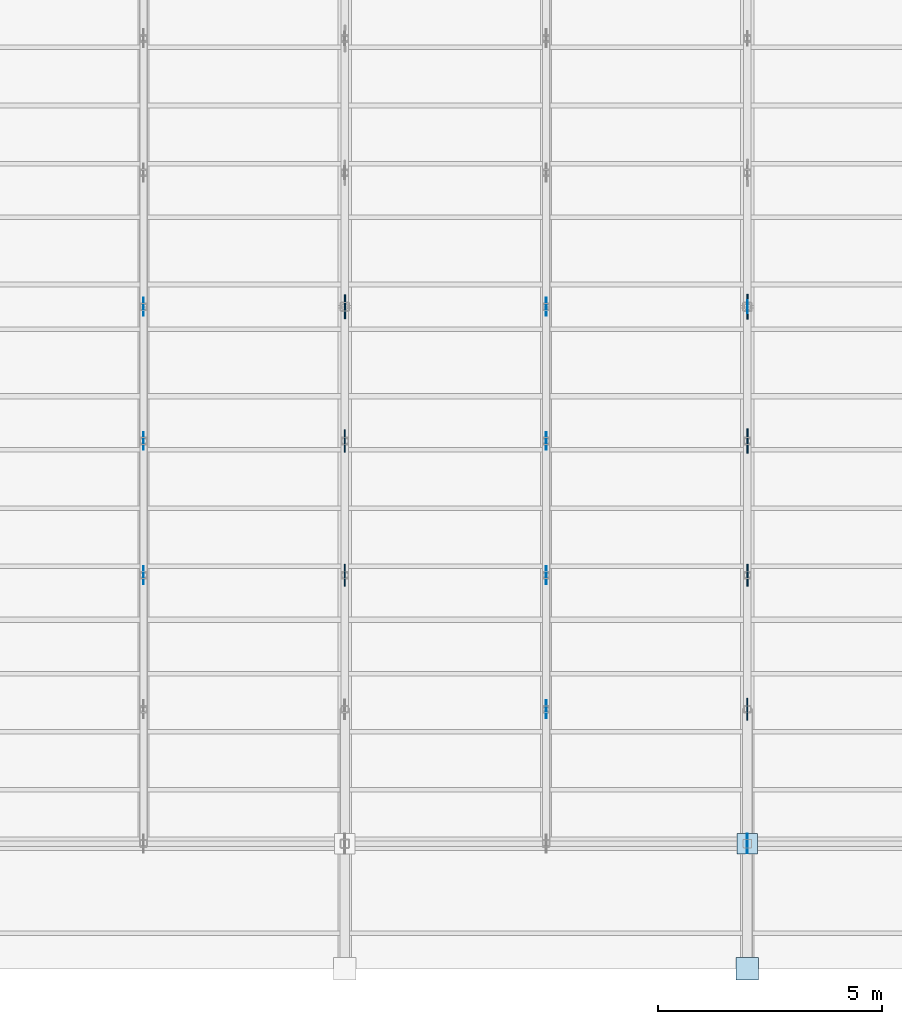
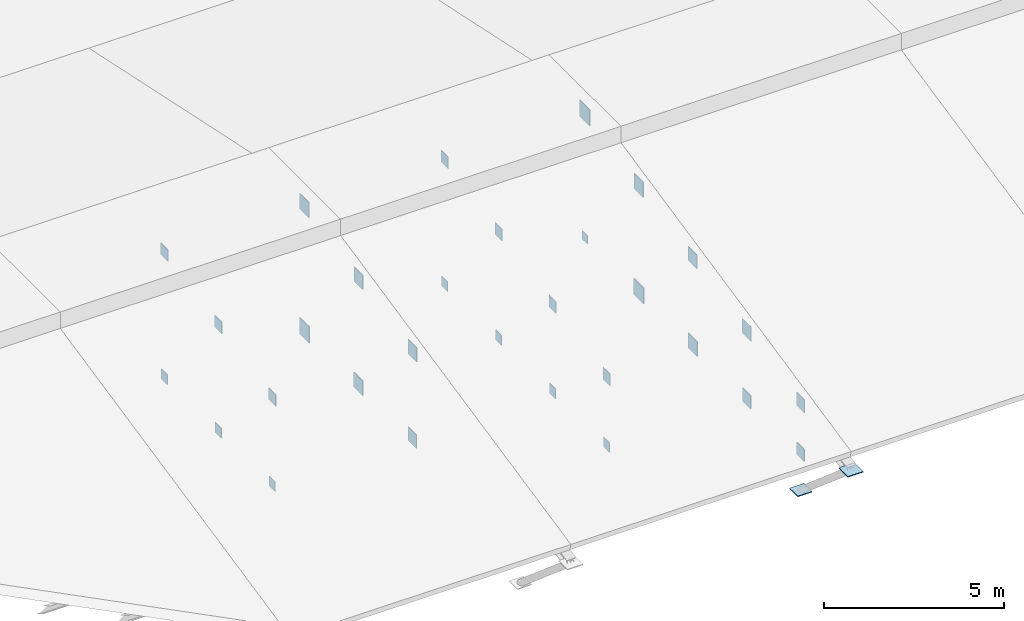
# One storey, part 37 of 43: 32 plates.
"""IFC4 building model written with IfcOpenShell, lengths in metres."""

import ifcopenshell
import ifcopenshell.guid

model = None  # the IFC model being written
_history = None  # IfcOwnerHistory: only IFC2X3 demands one
_inside = {}  # id of a spatial element -> (the spatial element, [elements in it])
_under = {}  # id of a project, library or spatial element -> (it, [spatial elements below it])
_declared = {}  # id of a project -> (the project, [libraries it declares])
_typed = {}  # id of a type object -> (the type object, [elements of that type])
_made_of = {}  # id of a material, layer set ... -> (it, [elements and type objects made of it])


def new_model(schema):
    """Start an empty IFC model of exactly this schema.

    Asked for "IFC4X3", IfcOpenShell would pick the latest addendum, in which some entities
    have other attributes; the version numbers below select the first issue.
    IFC2X3 requires an IfcOwnerHistory on every rooted entity: one is made here for all.
    """
    global model, _history
    if schema == "IFC4X3":
        model = ifcopenshell.file(schema_version=(4, 3, 0, 0))
    else:
        model = ifcopenshell.file(schema=schema)
    _inside.clear()
    _under.clear()
    _declared.clear()
    _typed.clear()
    _made_of.clear()
    _history = None
    if model.schema == "IFC2X3":
        org = make("IfcOrganization", Name="unknown")
        user = make(
            "IfcPersonAndOrganization",
            ThePerson=make("IfcPerson", FamilyName="unknown"),
            TheOrganization=org,
        )
        app = make(
            "IfcApplication",
            ApplicationDeveloper=org,
            Version="unknown",
            ApplicationFullName="unknown",
            ApplicationIdentifier="unknown",
        )
        _history = make(
            "IfcOwnerHistory",
            OwningUser=user,
            OwningApplication=app,
            ChangeAction="ADDED",
            CreationDate=0,
        )
    return model


def make(cls, **values):
    """One entity of the class cls with the attributes given. An attribute that is None is left unset."""
    return model.create_entity(
        cls, **{name: value for name, value in values.items() if value is not None}
    )


def rooted(cls, **values):
    """An entity with a GlobalId (a new one), such as an element, a storey or a relation."""
    return make(cls, GlobalId=ifcopenshell.guid.new(), OwnerHistory=_history, **values)


def si_unit(unit_type, name, prefix=None):
    """IfcSIUnit, for example si_unit("LENGTHUNIT", "METRE", prefix="MILLI")."""
    return make("IfcSIUnit", UnitType=unit_type, Prefix=prefix, Name=name)


def assignment(units):
    """IfcUnitAssignment: the units of a project."""
    return None if units is None else make("IfcUnitAssignment", Units=units)


def point(xyz):
    """IfcCartesianPoint."""
    return None if xyz is None else make("IfcCartesianPoint", Coordinates=xyz)


def direction(xyz):
    """IfcDirection."""
    return None if xyz is None else make("IfcDirection", DirectionRatios=xyz)


def frame(location, z_axis=None, x_axis=None):
    """IfcAxis2Placement3D, a coordinate frame: its origin and axes. An axis left out is left unset."""
    return make(
        "IfcAxis2Placement3D",
        Location=point(location),
        Axis=direction(z_axis),
        RefDirection=direction(x_axis),
    )


def frame_2d(location, x_axis=None):
    """IfcAxis2Placement2D, a coordinate frame in the plane: its origin and x axis."""
    return make(
        "IfcAxis2Placement2D", Location=point(location), RefDirection=direction(x_axis)
    )


def origin():
    """The frame at (0, 0, 0) with its axes left unset."""
    return frame((0.0, 0.0, 0.0))


def origin_2d():
    """The frame at (0, 0) in the plane with its x axis left unset."""
    return frame_2d((0.0, 0.0))


def place(relative_to, where):
    """IfcLocalPlacement: puts the frame where relative to a parent placement (None: the world)."""
    return make(
        "IfcLocalPlacement", PlacementRelTo=relative_to, RelativePlacement=where
    )


def context(
    kind, dimensions, precision=None, world=None, true_north=None, identifier=None
):
    """IfcGeometricRepresentationContext, for example the 3D "Model" context."""
    return make(
        "IfcGeometricRepresentationContext",
        ContextIdentifier=identifier,
        ContextType=kind,
        CoordinateSpaceDimension=dimensions,
        Precision=precision,
        WorldCoordinateSystem=world,
        TrueNorth=true_north,
    )


def subcontext(parent, identifier, kind, view, scale=None):
    """IfcGeometricRepresentationSubContext, for example "Body" below "Model"."""
    return make(
        "IfcGeometricRepresentationSubContext",
        ContextIdentifier=identifier,
        ContextType=kind,
        ParentContext=parent,
        TargetScale=scale,
        TargetView=view,
    )


def project(units=None, contexts=None):
    """IfcProject with its units and contexts."""
    return rooted(
        "IfcProject",
        Name="project",
        RepresentationContexts=contexts,
        UnitsInContext=assignment(units),
    )


def spatial(cls, under=None, at=None, **own):
    """A site, building, storey or space (cls), placed at a placement, below another one or the project."""
    s = rooted(cls, ObjectPlacement=at, **own)
    if under is not None:
        _under.setdefault(under.id(), (under, []))[1].append(s)
    return s


def profile(cls, at=None, kind="AREA", **sizes):
    """A parametric profile (cls). Its sizes go by their IFC names, for example OverallWidth=200.0."""
    return make(cls, ProfileType=kind, Position=at, **sizes)


def rectangle(**sizes):
    """IfcRectangleProfileDef."""
    return profile("IfcRectangleProfileDef", **sizes)


def extrude(swept, where, along, depth):
    """IfcExtrudedAreaSolid: the profile swept, set in the frame where, extruded along a direction by depth."""
    return make(
        "IfcExtrudedAreaSolid",
        SweptArea=swept,
        Position=where,
        ExtrudedDirection=direction(along),
        Depth=depth,
    )


def shape(context_of_items, identifier, shape_type, items):
    """IfcShapeRepresentation: the items that make up one representation, for example the "Body"."""
    return make(
        "IfcShapeRepresentation",
        ContextOfItems=context_of_items,
        RepresentationIdentifier=identifier,
        RepresentationType=shape_type,
        Items=items,
    )


def material(Name=None, Category=None):
    """IfcMaterial."""
    return make("IfcMaterial", Name=Name, Category=Category)


def layer(
    of_material, thickness, ventilated=None, Name=None, Category=None, Priority=None
):
    """IfcMaterialLayer: one layer of a wall or slab, of a material (None: an air gap)."""
    return make(
        "IfcMaterialLayer",
        Material=of_material,
        LayerThickness=thickness,
        IsVentilated=ventilated,
        Name=Name,
        Category=Category,
        Priority=Priority,
    )


def layer_set(layers, Name=None):
    """IfcMaterialLayerSet."""
    return make("IfcMaterialLayerSet", MaterialLayers=layers, LayerSetName=Name)


def made_of(thing, what):
    """Note that an element or type object is made of a material, layer set ...; save() writes the relation."""
    if what is not None:
        _made_of.setdefault(what.id(), (what, []))[1].append(thing)
    return thing


def type_object(cls, material=None, **own):
    """A type object (cls), such as IfcWallType, which elements share."""
    return made_of(rooted(cls, **own), material)


def element(
    cls,
    number,
    at=None,
    inside=None,
    cuts=None,
    type_object=None,
    material=None,
    context=None,
    identifier="Body",
    shape_type=None,
    held_by="IfcProductDefinitionShape",
    body=None,
    shapes=None,
    **own,
):
    """One element of the class cls, such as IfcWall. Its Tag is "e" and its number.

    at: its placement. inside: the storey or other place that contains it. cuts: it is an
    opening in that element (IfcRelVoidsElement). A single representation is given by context,
    identifier, shape_type and body (its items); several are given by shapes. held_by: the class
    of the entity that holds the representations. save() writes the other relations.
    """
    e = rooted(cls, Tag="e%d" % number, ObjectPlacement=at, **own)
    if body is not None:
        shapes = [shape(context, identifier, shape_type, body)]
    if shapes is not None:
        e.Representation = make(held_by, Representations=shapes)
    if inside is not None:
        _inside.setdefault(inside.id(), (inside, []))[1].append(e)
    if cuts is not None:
        rooted(
            "IfcRelVoidsElement", RelatingBuildingElement=cuts, RelatedOpeningElement=e
        )
    if type_object is not None:
        _typed.setdefault(type_object.id(), (type_object, []))[1].append(e)
    return made_of(e, material)


def aggregate(whole, parts):
    """IfcRelAggregates: a whole, such as a stair, and the parts it consists of."""
    return rooted("IfcRelAggregates", RelatingObject=whole, RelatedObjects=parts)


def save(model, path):
    """Write the relations noted so far, then the file.

    IfcRelAggregates (storeys below a building ...), IfcRelContainedInSpatialStructure (elements
    in a storey), IfcRelDefinesByType, IfcRelAssociatesMaterial and IfcRelDeclares: one each for
    every whole, place, type object, material and project.
    """
    for whole, parts in _under.values():
        aggregate(whole, parts)
    for where, things in _inside.values():
        rooted(
            "IfcRelContainedInSpatialStructure",
            RelatedElements=things,
            RelatingStructure=where,
        )
    for kind, things in _typed.values():
        rooted("IfcRelDefinesByType", RelatedObjects=things, RelatingType=kind)
    for what, things in _made_of.values():
        rooted("IfcRelAssociatesMaterial", RelatedObjects=things, RelatingMaterial=what)
    for by, libraries in _declared.values():
        rooted("IfcRelDeclares", RelatingContext=by, RelatedDefinitions=libraries)
    model.write(path)


model = new_model("IFC4")

# Units and contexts
model_context = context("Model", 3, precision=1e-05, world=origin(), true_north=direction((0.0, 1.0)))
body_context = subcontext(model_context, "Body", "Model", "MODEL_VIEW")
ifc_project = project(units=[si_unit("LENGTHUNIT", "METRE"), si_unit("AREAUNIT", "SQUARE_METRE"), si_unit("VOLUMEUNIT", "CUBIC_METRE"), si_unit("PLANEANGLEUNIT", "RADIAN"), si_unit("MASSUNIT", "GRAM", prefix="KILO")], contexts=[model_context])

# Site, building, storey
site_placement = place(None, origin())
site = spatial("IfcSite", under=ifc_project, at=site_placement, CompositionType="ELEMENT")
building_placement = place(site_placement, origin())
building = spatial("IfcBuilding", under=site, at=building_placement, Name="Serraforn Aerial Cableway Station", CompositionType="ELEMENT")
storey_placement = place(building_placement, frame((0.0, 0.0, 18.300048828125)))
storey = spatial("IfcBuildingStorey", under=building, at=storey_placement, Name="RF", CompositionType="ELEMENT", Elevation=18.300048828125)

# Plates
ifc_material = material(Name="Steel S355J2", Category="steel")
ifc_layer_1 = layer(ifc_material, 0.014892578125)
ifc_layer_set_1 = layer_set([ifc_layer_1], Name="Steel S355J2")
plate_type_1 = type_object("IfcPlateType", Name="PLT-CAP-15", PredefinedType="USERDEFINED", material=ifc_layer_set_1)
plate_1_placement = place(storey_placement, frame((63.60009765625, 30.0, -1.4951171875), z_axis=(0.0, 0.0, 1.0), x_axis=(1.0, 0.0, 0.0)))
element("IfcPlate", 1, at=plate_1_placement, inside=storey, type_object=plate_type_1, Name="Truss Bottom Node Cap TR-05-5", ObjectType="CAP PLATE", PredefinedType="USERDEFINED", context=body_context, shape_type="SweptSolid", body=[
    extrude(rectangle(XDim=0.014892578125, YDim=0.2900390625, at=origin_2d()), origin(), (0.0, 0.0, 1.0), 0.2900390625),
])
ifc_layer_2 = layer(ifc_material, 0.01806640625)
ifc_layer_set_2 = layer_set([ifc_layer_2], Name="Steel S355J2")
plate_type_2 = type_object("IfcPlateType", Name="PLT-CAP-18", PredefinedType="USERDEFINED", material=ifc_layer_set_2)
for number, where, z_axis, x_axis, name in (
    (2, (50.10009765625, 24.0, -1.52001953125), (0.0, 0.0, 1.0), (1.0, 0.0, 0.0), "Intermediate Truss Bottom Cap TRM-03-3"),
    (3, (50.10009765625, 27.0, -1.52001953125), (0.0, 0.0, 1.0), (1.0, 0.0, 0.0), "Intermediate Truss Bottom Cap TRM-03-4"),
    (4, (50.10009765625, 30.0, -1.52001953125), (0.0, 0.0, 1.0), (1.0, 0.0, 0.0), "Intermediate Truss Bottom Cap TRM-03-5"),
    (5, (59.10009765625, 21.0, -1.52001953125), (0.0, 0.0, 1.0), (1.0, 0.0, 0.0), "Intermediate Truss Bottom Cap TRM-04-2"),
    (6, (59.10009765625, 24.0, -1.52001953125), (0.0, 0.0, 1.0), (1.0, 0.0, 0.0), "Intermediate Truss Bottom Cap TRM-04-3"),
    (7, (59.10009765625, 27.0, -1.52001953125), (0.0, 0.0, 1.0), (1.0, 0.0, 0.0), "Intermediate Truss Bottom Cap TRM-04-4"),
    (8, (59.10009765625, 30.0, -1.52001953125), (0.0, 0.0, 1.0), (1.0, 0.0, 0.0), "Intermediate Truss Bottom Cap TRM-04-5"),
):
    element("IfcPlate", number, at=place(storey_placement, frame(where, z_axis=z_axis, x_axis=x_axis)), inside=storey, type_object=plate_type_2, Name=name, ObjectType="CAP PLATE", PredefinedType="USERDEFINED", context=body_context, shape_type="SweptSolid", body=[
        extrude(rectangle(XDim=0.01806640625, YDim=0.340087890625, at=origin_2d()), origin(), (0.0, 0.0, 1.0), 0.340087890625),
    ])
ifc_layer_3 = layer(ifc_material, 0.02197265625)
ifc_layer_set_3 = layer_set([ifc_layer_3], Name="Steel S355J2")
plate_type_3 = type_object("IfcPlateType", Name="PLT-CAP-22", PredefinedType="USERDEFINED", material=ifc_layer_set_3)
plate_2_placement = place(storey_placement, frame((63.60009765625, 18.0, -1.56005859375), z_axis=(0.0, 0.0, 1.0), x_axis=(1.0, 0.0, 0.0)))
element("IfcPlate", 9, at=plate_2_placement, inside=storey, type_object=plate_type_3, Name="Truss Bottom Node Cap TR-05-1", ObjectType="CAP PLATE", PredefinedType="USERDEFINED", context=body_context, shape_type="SweptSolid", body=[
    extrude(rectangle(XDim=0.02197265625, YDim=0.419921875, at=origin_2d()), origin(), (0.0, 0.0, 1.0), 0.419921875),
])
ifc_layer_4 = layer(ifc_material, 0.02392578125)
ifc_layer_set_4 = layer_set([ifc_layer_4], Name="Steel S355J2")
plate_type_4 = type_object("IfcPlateType", Name="PLT-CAP-24", PredefinedType="USERDEFINED", material=ifc_layer_set_4)
for number, where, z_axis, x_axis, name in (
    (10, (54.60009765625, 24.0, -1.580078125), (0.0, 0.0, 1.0), (1.0, 0.0, 0.0), "Truss Bottom Node Cap TR-04-3"),
    (11, (63.60009765625, 21.0, -1.580078125), (0.0, 0.0, 1.0), (1.0, 0.0, 0.0), "Truss Bottom Node Cap TR-05-2"),
):
    element("IfcPlate", number, at=place(storey_placement, frame(where, z_axis=z_axis, x_axis=x_axis)), inside=storey, type_object=plate_type_4, Name=name, ObjectType="CAP PLATE", PredefinedType="USERDEFINED", context=body_context, shape_type="SweptSolid", body=[
        extrude(rectangle(XDim=0.02392578125, YDim=0.4599609375, at=origin_2d()), origin(), (0.0, 0.0, 1.0), 0.4599609375),
    ])
plate_3_placement = place(storey_placement, frame((63.60009765625, 18.0, -2.662109375), z_axis=(0.0, 0.0, 1.0), x_axis=(1.0, 0.0, 0.0)))
element("IfcPlate", 12, at=plate_3_placement, inside=storey, type_object=plate_type_4, Name="Truss Eave Column Gusset TR-05-ES", ObjectType="CAP PLATE", PredefinedType="USERDEFINED", context=body_context, shape_type="SweptSolid", body=[
    extrude(rectangle(XDim=0.4599609375, YDim=0.4599609375, at=origin_2d()), origin(), (0.0, 0.0, 1.0), 0.02392578125),
])
ifc_layer_5 = layer(ifc_material, 0.028076171875)
ifc_layer_set_5 = layer_set([ifc_layer_5], Name="Steel S355J2")
plate_type_5 = type_object("IfcPlateType", Name="PLT-CAP-28", PredefinedType="USERDEFINED", material=ifc_layer_set_5)
for number, where, z_axis, x_axis, name in (
    (13, (54.60009765625, 27.0, -1.60009765625), (0.0, 0.0, 1.0), (1.0, 0.0, 0.0), "Truss Bottom Node Cap TR-04-4"),
    (14, (63.60009765625, 24.0, -1.60009765625), (0.0, 0.0, 1.0), (1.0, 0.0, 0.0), "Truss Bottom Node Cap TR-05-3"),
):
    element("IfcPlate", number, at=place(storey_placement, frame(where, z_axis=z_axis, x_axis=x_axis)), inside=storey, type_object=plate_type_5, Name=name, ObjectType="CAP PLATE", PredefinedType="USERDEFINED", context=body_context, shape_type="SweptSolid", body=[
        extrude(rectangle(XDim=0.028076171875, YDim=0.5, at=origin_2d()), origin(), (0.0, 0.0, 1.0), 0.5),
    ])
plate_4_placement = place(storey_placement, frame((63.60009765625, 15.199951171875, -0.2841796875), z_axis=(0.0, 0.0, 1.0), x_axis=(1.0, 0.0, 0.0)))
element("IfcPlate", 15, at=plate_4_placement, inside=storey, type_object=plate_type_5, Name="Truss Eave Tip Cap Plate TR-05-ES", ObjectType="CAP PLATE", PredefinedType="USERDEFINED", context=body_context, shape_type="SweptSolid", body=[
    extrude(rectangle(XDim=0.5, YDim=0.5, at=origin_2d()), origin(), (0.0, 0.0, 1.0), 0.028076171875),
])
ifc_layer_6 = layer(ifc_material, 0.031982421875)
ifc_layer_set_6 = layer_set([ifc_layer_6], Name="Steel S355J2")
plate_type_6 = type_object("IfcPlateType", Name="PLT-CAP-32", PredefinedType="USERDEFINED", material=ifc_layer_set_6)
for number, where, z_axis, x_axis, name in (
    (16, (54.60009765625, 30.0, -1.6201171875), (0.0, 0.0, 1.0), (1.0, 0.0, 0.0), "Truss Bottom Node Cap TR-04-5"),
    (17, (63.60009765625, 27.0, -1.6201171875), (0.0, 0.0, 1.0), (1.0, 0.0, 0.0), "Truss Bottom Node Cap TR-05-4"),
):
    element("IfcPlate", number, at=place(storey_placement, frame(where, z_axis=z_axis, x_axis=x_axis)), inside=storey, type_object=plate_type_6, Name=name, ObjectType="CAP PLATE", PredefinedType="USERDEFINED", context=body_context, shape_type="SweptSolid", body=[
        extrude(rectangle(XDim=0.031982421875, YDim=0.5400390625, at=origin_2d()), origin(), (0.0, 0.0, 1.0), 0.5400390625),
    ])
ifc_layer_7 = layer(ifc_material, 0.02001953125)
ifc_layer_set_7 = layer_set([ifc_layer_7], Name="Steel S355J2")
plate_type_7 = type_object("IfcPlateType", Name="PLT-GUS-20", PredefinedType="USERDEFINED", material=ifc_layer_set_7)
for number, where, z_axis, x_axis, name in (
    (18, (50.10009765625, 24.0, 1.400634765625), (0.0, 0.0, 1.0), (1.0, 0.0, 0.0), "Intermediate Truss Top Gusset TRM-03-3"),
    (19, (50.10009765625, 27.0, 2.038330078125), (0.0, 0.0, 1.0), (1.0, 0.0, 0.0), "Intermediate Truss Top Gusset TRM-03-4"),
    (20, (50.10009765625, 30.0, 2.676025390625), (0.0, 0.0, 1.0), (1.0, 0.0, 0.0), "Intermediate Truss Top Gusset TRM-03-5"),
    (21, (59.10009765625, 21.0, 0.762939453125), (0.0, 0.0, 1.0), (1.0, 0.0, 0.0), "Intermediate Truss Top Gusset TRM-04-2"),
    (22, (59.10009765625, 24.0, 1.400634765625), (0.0, 0.0, 1.0), (1.0, 0.0, 0.0), "Intermediate Truss Top Gusset TRM-04-3"),
    (23, (59.10009765625, 27.0, 2.038330078125), (0.0, 0.0, 1.0), (1.0, 0.0, 0.0), "Intermediate Truss Top Gusset TRM-04-4"),
    (24, (59.10009765625, 30.0, 2.676025390625), (0.0, 0.0, 1.0), (1.0, 0.0, 0.0), "Intermediate Truss Top Gusset TRM-04-5"),
):
    element("IfcPlate", number, at=place(storey_placement, frame(where, z_axis=z_axis, x_axis=x_axis)), inside=storey, type_object=plate_type_7, Name=name, ObjectType="GUSSET PLATE", PredefinedType="USERDEFINED", context=body_context, shape_type="SweptSolid", body=[
        extrude(rectangle(XDim=0.02001953125, YDim=0.39990234375, at=origin_2d()), origin(), (0.0, 0.0, 1.0), 0.39990234375),
    ])
ifc_layer_8 = layer(ifc_material, 0.02197265625)
ifc_layer_set_8 = layer_set([ifc_layer_8], Name="Steel S355J2")
plate_type_8 = type_object("IfcPlateType", Name="PLT-GUS-22", PredefinedType="USERDEFINED", material=ifc_layer_set_8)
plate_5_placement = place(storey_placement, frame((63.60009765625, 18.0, 0.105224609375), z_axis=(0.0, 0.0, 1.0), x_axis=(1.0, 0.0, 0.0)))
element("IfcPlate", 25, at=plate_5_placement, inside=storey, type_object=plate_type_8, Name="Truss Top Node Gusset TR-05-1", ObjectType="GUSSET PLATE", PredefinedType="USERDEFINED", context=body_context, shape_type="SweptSolid", body=[
    extrude(rectangle(XDim=0.02197265625, YDim=0.43994140625, at=origin_2d()), origin(), (0.0, 0.0, 1.0), 0.43994140625),
])
ifc_layer_9 = layer(ifc_material, 0.02294921875)
ifc_layer_set_9 = layer_set([ifc_layer_9], Name="Steel S355J2")
plate_type_9 = type_object("IfcPlateType", Name="PLT-GUS-23", PredefinedType="USERDEFINED", material=ifc_layer_set_9)
for number, where, z_axis, x_axis, name in (
    (26, (54.60009765625, 24.0, 1.35546875), (0.0, 0.0, 1.0), (1.0, 0.0, 0.0), "Truss Top Node Gusset TR-04-3"),
    (27, (63.60009765625, 21.0, 0.7177734375), (0.0, 0.0, 1.0), (1.0, 0.0, 0.0), "Truss Top Node Gusset TR-05-2"),
):
    element("IfcPlate", number, at=place(storey_placement, frame(where, z_axis=z_axis, x_axis=x_axis)), inside=storey, type_object=plate_type_9, Name=name, ObjectType="GUSSET PLATE", PredefinedType="USERDEFINED", context=body_context, shape_type="SweptSolid", body=[
        extrude(rectangle(XDim=0.02294921875, YDim=0.489990234375, at=origin_2d()), origin(), (0.0, 0.0, 1.0), 0.489990234375),
    ])
ifc_layer_10 = layer(ifc_material, 0.02392578125)
ifc_layer_set_10 = layer_set([ifc_layer_10], Name="Steel S355J2")
plate_type_10 = type_object("IfcPlateType", Name="PLT-GUS-24", PredefinedType="USERDEFINED", material=ifc_layer_set_10)
for number, where, z_axis, x_axis, name in (
    (28, (54.60009765625, 27.0, 1.998291015625), (0.0, 0.0, 1.0), (1.0, 0.0, 0.0), "Truss Top Node Gusset TR-04-4"),
    (29, (63.60009765625, 24.0, 1.360595703125), (0.0, 0.0, 1.0), (1.0, 0.0, 0.0), "Truss Top Node Gusset TR-05-3"),
):
    element("IfcPlate", number, at=place(storey_placement, frame(where, z_axis=z_axis, x_axis=x_axis)), inside=storey, type_object=plate_type_10, Name=name, ObjectType="GUSSET PLATE", PredefinedType="USERDEFINED", context=body_context, shape_type="SweptSolid", body=[
        extrude(rectangle(XDim=0.02392578125, YDim=0.47998046875, at=origin_2d()), origin(), (0.0, 0.0, 1.0), 0.47998046875),
    ])
ifc_layer_11 = layer(ifc_material, 0.02587890625)
ifc_layer_set_11 = layer_set([ifc_layer_11], Name="Steel S355J2")
plate_type_11 = type_object("IfcPlateType", Name="PLT-GUS-26", PredefinedType="USERDEFINED", material=ifc_layer_set_11)
for number, where, z_axis, x_axis, name in (
    (30, (54.60009765625, 30.0, 2.615966796875), (0.0, 0.0, 1.0), (1.0, 0.0, 0.0), "Truss Top Node Gusset TR-04-5"),
    (31, (63.60009765625, 27.0, 1.978271484375), (0.0, 0.0, 1.0), (1.0, 0.0, 0.0), "Truss Top Node Gusset TR-05-4"),
):
    element("IfcPlate", number, at=place(storey_placement, frame(where, z_axis=z_axis, x_axis=x_axis)), inside=storey, type_object=plate_type_11, Name=name, ObjectType="GUSSET PLATE", PredefinedType="USERDEFINED", context=body_context, shape_type="SweptSolid", body=[
        extrude(rectangle(XDim=0.02587890625, YDim=0.52001953125, at=origin_2d()), origin(), (0.0, 0.0, 1.0), 0.52001953125),
    ])
ifc_layer_12 = layer(ifc_material, 0.028076171875)
ifc_layer_set_12 = layer_set([ifc_layer_12], Name="Steel S355J2")
plate_type_12 = type_object("IfcPlateType", Name="PLT-GUS-28", PredefinedType="USERDEFINED", material=ifc_layer_set_12)
plate_6_placement = place(storey_placement, frame((63.60009765625, 30.0, 2.595947265625), z_axis=(0.0, 0.0, 1.0), x_axis=(1.0, 0.0, 0.0)))
element("IfcPlate", 32, at=plate_6_placement, inside=storey, type_object=plate_type_12, Name="Truss Top Node Gusset TR-05-5", ObjectType="GUSSET PLATE", PredefinedType="USERDEFINED", context=body_context, shape_type="SweptSolid", body=[
    extrude(rectangle(XDim=0.028076171875, YDim=0.56005859375, at=origin_2d()), origin(), (0.0, 0.0, 1.0), 0.56005859375),
])

save(model, "model.ifc")
